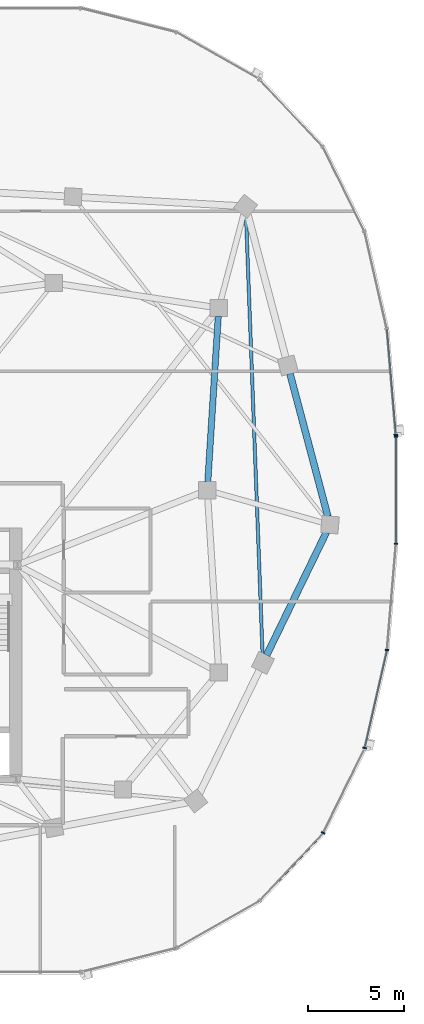
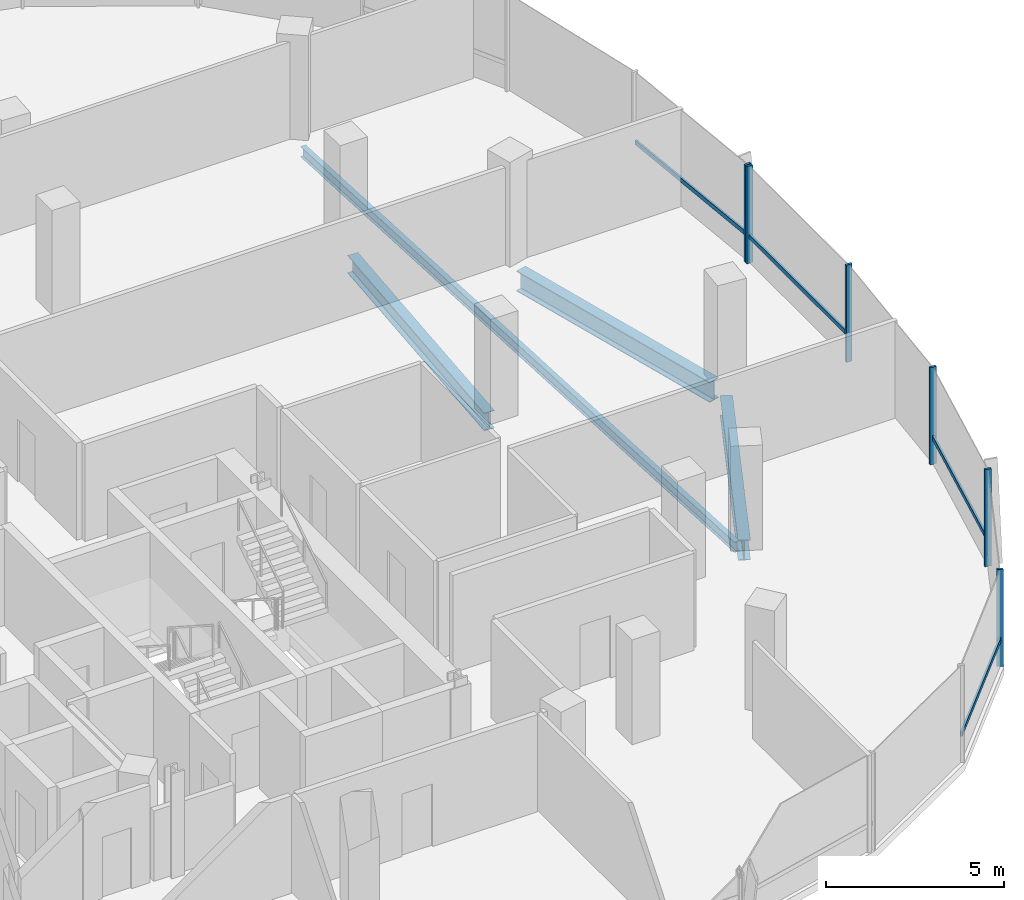
# One storey, part 10 of 25: 10 members, 4 beams, 2 elements without a shape of their own.
"""IFC4 building model written with IfcOpenShell, lengths in metres."""

from ifc_helpers import new_model, si_unit, direction, frame, origin, origin_2d, place, context, subcontext, project, spatial, rectangle, i_section, extrude, material, material_profile, profile_set, type_object, element, aggregate, save


model = new_model("IFC4")

# Units and contexts
model_context = context("Model", 3, precision=1e-05, world=origin(), true_north=direction((0.0, 1.0)))
body_context = subcontext(model_context, "Body", "Model", "MODEL_VIEW")
ifc_project = project(units=[si_unit("LENGTHUNIT", "METRE"), si_unit("AREAUNIT", "SQUARE_METRE"), si_unit("VOLUMEUNIT", "CUBIC_METRE"), si_unit("PLANEANGLEUNIT", "RADIAN"), si_unit("MASSUNIT", "GRAM", prefix="KILO"), si_unit("THERMODYNAMICTEMPERATUREUNIT", "KELVIN"), si_unit("POWERUNIT", "WATT")], contexts=[model_context])

# Site, building, storey
site_placement = place(None, origin())
site = spatial("IfcSite", under=ifc_project, at=site_placement, CompositionType="ELEMENT")
building_placement = place(site_placement, origin())
building = spatial("IfcBuilding", under=site, at=building_placement, Name="Cundina Bronze Exchange", CompositionType="ELEMENT")
storey_placement = place(building_placement, frame((0.0, 0.0, 224.199951171875)))
storey = spatial("IfcBuildingStorey", under=building, at=storey_placement, Name="L59", CompositionType="ELEMENT", Elevation=224.199951171875)

# Beams
ifc_material_1 = material(Name="Steel ASTM A992 Grade 50", Category="steel")
ifc_material_profile_1 = material_profile(ifc_material_1, i_section(OverallWidth=0.172119140625, OverallDepth=0.35791015625, WebThickness=0.0078125, FlangeThickness=0.01318359375, FilletRadius=0.010009765625, at=origin_2d()), Name="W14X38", Category="steel")
ifc_profile_set_1 = profile_set([ifc_material_profile_1], Name="Steel ASTM A992 Grade 50")
beam_type_1 = type_object("IfcBeamType", Name="BM-JST-W14", PredefinedType="JOIST", material=ifc_profile_set_1)
beam_1_placement = place(storey_placement, frame((44.08349609375, -8.562255859375, -0.43896484375), z_axis=(-0.037790216102, 0.999285694667, 0.0), x_axis=(-0.999285694667, -0.037790216102, 0.0)))
element("IfcBeam", 1, at=beam_1_placement, inside=storey, type_object=beam_type_1, Name="L59 Leg E Lobe Floor Joist 07-10", PredefinedType="JOIST", context=body_context, shape_type="SweptSolid", body=[
    extrude(i_section(OverallWidth=0.172119140625, OverallDepth=0.35791015625, WebThickness=0.0078125, FlangeThickness=0.01318359375, FilletRadius=0.010009765625, at=origin_2d()), origin(), (0.0, 0.0, 1.0), 22.94091796875),
])
ifc_material_profile_2 = material_profile(ifc_material_1, i_section(OverallWidth=0.324951171875, OverallDepth=0.615966796875, WebThickness=0.013916015625, FlangeThickness=0.021484375, FilletRadius=0.01611328125, at=origin_2d()), Name="W24X117", Category="steel")
ifc_profile_set_2 = profile_set([ifc_material_profile_2], Name="Steel ASTM A992 Grade 50")
beam_type_2 = type_object("IfcBeamType", Name="BM-RING-W24", PredefinedType="USERDEFINED", material=ifc_profile_set_2)
beam_2_placement = place(storey_placement, frame((41.2275390625, 0.43701171875, -0.56787109375), z_axis=(0.063046519736, 0.998010589297, 0.0), x_axis=(-0.998010589297, 0.063046519736, 0.0)))
element("IfcBeam", 2, at=beam_2_placement, inside=storey, type_object=beam_type_2, Name="L59 E Inner Structural Ring Girder 04", ObjectType="GIRDER", PredefinedType="USERDEFINED", context=body_context, shape_type="SweptSolid", body=[
    extrude(i_section(OverallWidth=0.324951171875, OverallDepth=0.615966796875, WebThickness=0.013916015625, FlangeThickness=0.021484375, FilletRadius=0.01611328125, at=origin_2d()), origin(), (0.0, 0.0, 1.0), 8.64306640625),
])
ifc_material_profile_3 = material_profile(ifc_material_1, i_section(OverallWidth=0.35498046875, OverallDepth=0.695068359375, WebThickness=0.015380859375, FlangeThickness=0.02490234375, FilletRadius=0.01806640625, at=origin_2d()), Name="W27X146", Category="steel")
ifc_profile_set_3 = profile_set([ifc_material_profile_3], Name="Steel ASTM A992 Grade 50")
beam_type_3 = type_object("IfcBeamType", Name="BM-RING-W27", PredefinedType="USERDEFINED", material=ifc_profile_set_3)
beam_3_placement = place(storey_placement, frame((44.29150390625, -8.606201171875, -0.607421875), z_axis=(0.437173087764, 0.89937739094, 0.0), x_axis=(-0.89937739094, 0.437173087764, 0.0)))
element("IfcBeam", 3, at=beam_3_placement, inside=storey, type_object=beam_type_3, Name="L59 E Perimeter Ring Girder 07", ObjectType="GIRDER", PredefinedType="USERDEFINED", context=body_context, shape_type="SweptSolid", body=[
    extrude(i_section(OverallWidth=0.35498046875, OverallDepth=0.695068359375, WebThickness=0.015380859375, FlangeThickness=0.02490234375, FilletRadius=0.01806640625, at=origin_2d()), origin(), (0.0, 0.0, 1.0), 7.1298828125),
])
beam_4_placement = place(storey_placement, frame((47.48779296875, -1.376708984375, -0.607421875), z_axis=(-0.256211934474, 0.966620631185, 0.0), x_axis=(-0.966620631185, -0.256211934474, 0.0)))
element("IfcBeam", 4, at=beam_4_placement, inside=storey, type_object=beam_type_3, Name="L59 E Perimeter Ring Girder 08", ObjectType="GIRDER", PredefinedType="USERDEFINED", context=body_context, shape_type="SweptSolid", body=[
    extrude(i_section(OverallWidth=0.35498046875, OverallDepth=0.695068359375, WebThickness=0.015380859375, FlangeThickness=0.02490234375, FilletRadius=0.01806640625, at=origin_2d()), origin(), (0.0, 0.0, 1.0), 7.710693359375),
])

# Curtain wall, member
ifc_material_2 = material(Name="Anodised Bronze Aluminium 6063-T6", Category="aluminium")
curtain_wall_type = type_object("IfcCurtainWallType", Name="CWS-UPP-OFF", PredefinedType="NOTDEFINED", material=ifc_material_2)
curtain_wall_1_placement = place(storey_placement, origin())
curtain_wall_1 = element("IfcCurtainWall", 5, at=curtain_wall_1_placement, inside=storey, type_object=curtain_wall_type, Name="L59 CW-05 Curtain Wall Run CWR-L59-E1", PredefinedType="NOTDEFINED")
ifc_material_profile_4 = material_profile(ifc_material_2, rectangle(XDim=0.070068359375, YDim=0.18994140625, at=origin_2d()), Name="AL70X190", Category="aluminium")
ifc_profile_set_4 = profile_set([ifc_material_profile_4], Name="Anodised Bronze Aluminium 6063-T6")
member_type_1 = type_object("IfcMemberType", Name="CWM-MUL-190", PredefinedType="MULLION", material=ifc_profile_set_4)
member_1_placement = place(storey_placement, frame((51.0302734375, 2.88330078125, 0.0), z_axis=(0.0, 0.0, 1.0), x_axis=(-0.083677843332, 0.99649285925, 0.0)))
member_1 = element("IfcMember", 6, at=member_1_placement, type_object=member_type_1, Name="CW-05 Mullion 1", PredefinedType="MULLION", context=body_context, shape_type="SweptSolid", body=[
    extrude(rectangle(XDim=0.070068359375, YDim=0.18994140625, at=origin_2d()), origin(), (0.0, 0.0, 1.0), 3.340087890625),
])

# Curtain wall, members
curtain_wall_2_placement = place(storey_placement, origin())
curtain_wall_2 = element("IfcCurtainWall", 7, at=curtain_wall_2_placement, inside=storey, type_object=curtain_wall_type, Name="L59 CW-05 Curtain Wall Run CWR-L59-E4", PredefinedType="NOTDEFINED")
member_2_placement = place(storey_placement, frame((47.245361328125, -17.866455078125, 0.0), z_axis=(0.0, 0.0, 1.0), x_axis=(0.440566004113, 0.897720221461, 0.0)))
member_2 = element("IfcMember", 8, at=member_2_placement, type_object=member_type_1, Name="CW-05 Mullion 4", PredefinedType="MULLION", context=body_context, shape_type="SweptSolid", body=[
    extrude(rectangle(XDim=0.070068359375, YDim=0.18994140625, at=origin_2d()), origin(), (0.0, 0.0, 1.0), 3.340087890625),
])
member_3_placement = place(storey_placement, frame((49.40771484375, -13.440673828125, 0.0), z_axis=(0.0, 0.0, 1.0), x_axis=(0.223250116011, 0.974761194191, 0.0)))
member_3 = element("IfcMember", 9, at=member_3_placement, type_object=member_type_1, Name="CW-05 Mullion 5", PredefinedType="MULLION", context=body_context, shape_type="SweptSolid", body=[
    extrude(rectangle(XDim=0.070068359375, YDim=0.18994140625, at=origin_2d()), origin(), (0.0, 0.0, 1.0), 3.340087890625),
])
member_4_placement = place(storey_placement, frame((50.572509765625, -8.33056640625, 0.0), z_axis=(0.0, 0.0, 1.0), x_axis=(0.083677843332, 0.99649285925, 0.0)))
member_4 = element("IfcMember", 10, at=member_4_placement, type_object=member_type_1, Name="CW-05 Mullion 6", PredefinedType="MULLION", context=body_context, shape_type="SweptSolid", body=[
    extrude(rectangle(XDim=0.070068359375, YDim=0.18994140625, at=origin_2d()), origin(), (0.0, 0.0, 1.0), 3.340087890625),
])
member_5_placement = place(storey_placement, frame((51.033935546875, -2.794921875, 0.0), z_axis=(0.0, 0.0, 1.0), x_axis=(0.0, 1.0, 0.0)))
member_5 = element("IfcMember", 11, at=member_5_placement, type_object=member_type_1, Name="CW-05 Mullion 7", PredefinedType="MULLION", context=body_context, shape_type="SweptSolid", body=[
    extrude(rectangle(XDim=0.070068359375, YDim=0.18994140625, at=origin_2d()), origin(), (0.0, 0.0, 1.0), 3.340087890625),
])
member_6_placement = place(storey_placement, frame((51.033935546875, 2.794921875, 0.0), z_axis=(0.0, 0.0, 1.0), x_axis=(0.0, 1.0, 0.0)))
member_6 = element("IfcMember", 12, at=member_6_placement, type_object=member_type_1, Name="CW-05 End Mullion", PredefinedType="MULLION", context=body_context, shape_type="SweptSolid", body=[
    extrude(rectangle(XDim=0.070068359375, YDim=0.18994140625, at=origin_2d()), origin(), (0.0, 0.0, 1.0), 3.340087890625),
])

# Member
ifc_material_profile_5 = material_profile(ifc_material_2, rectangle(XDim=0.06494140625, YDim=0.14990234375, at=origin_2d()), Name="AL65X150", Category="aluminium")
ifc_profile_set_5 = profile_set([ifc_material_profile_5], Name="Anodised Bronze Aluminium 6063-T6")
member_type_2 = type_object("IfcMemberType", Name="CWM-TRN-150", PredefinedType="USERDEFINED", material=ifc_profile_set_5)
member_7_placement = place(storey_placement, frame((51.027099609375, 2.921630859375, 0.920166015625), z_axis=(-0.083740331158, 0.996487610027, 0.0), x_axis=(-0.996487610027, -0.083740331158, 0.0)))
member_7 = element("IfcMember", 13, at=member_7_placement, type_object=member_type_2, Name="CW-05 Spandrel Transom 1", ObjectType="TRANSOM", PredefinedType="USERDEFINED", context=body_context, shape_type="SweptSolid", body=[
    extrude(rectangle(XDim=0.06494140625, YDim=0.14990234375, at=origin_2d()), origin(), (0.0, 0.0, 1.0), 5.466552734375),
])

aggregate(curtain_wall_1, [member_1, member_7])

member_8_placement = place(storey_placement, frame((43.97509765625, -21.364501953125, 0.920166015625), z_axis=(0.684336416554, 0.729166420633, 0.0), x_axis=(-0.729166420633, 0.684336416554, 0.0)))
member_8 = element("IfcMember", 14, at=member_8_placement, type_object=member_type_2, Name="CW-05 Spandrel Transom 3", ObjectType="TRANSOM", PredefinedType="USERDEFINED", context=body_context, shape_type="SweptSolid", body=[
    extrude(rectangle(XDim=0.06494140625, YDim=0.14990234375, at=origin_2d()), origin(), (0.0, 0.0, 1.0), 4.76513671875),
])

member_9_placement = place(storey_placement, frame((49.41650390625, -13.403076171875, 0.920166015625), z_axis=(0.22328343579, 0.974753562344, 0.0), x_axis=(-0.974753562344, 0.22328343579, 0.0)))
member_9 = element("IfcMember", 15, at=member_9_placement, type_object=member_type_2, Name="CW-05 Spandrel Transom 5", ObjectType="TRANSOM", PredefinedType="USERDEFINED", context=body_context, shape_type="SweptSolid", body=[
    extrude(rectangle(XDim=0.06494140625, YDim=0.14990234375, at=origin_2d()), origin(), (0.0, 0.0, 1.0), 5.159912109375),
])

member_10_placement = place(storey_placement, frame((51.033935546875, -2.756591796875, 0.920166015625), z_axis=(0.0, 1.0, 0.0), x_axis=(-1.0, 0.0, 0.0)))
member_10 = element("IfcMember", 16, at=member_10_placement, type_object=member_type_2, Name="CW-05 Spandrel Transom 7", ObjectType="TRANSOM", PredefinedType="USERDEFINED", context=body_context, shape_type="SweptSolid", body=[
    extrude(rectangle(XDim=0.06494140625, YDim=0.14990234375, at=origin_2d()), origin(), (0.0, 0.0, 1.0), 5.51318359375),
])

aggregate(curtain_wall_2, [member_8, member_2, member_3, member_9, member_4, member_5, member_6, member_10])

save(model, "model.ifc")
